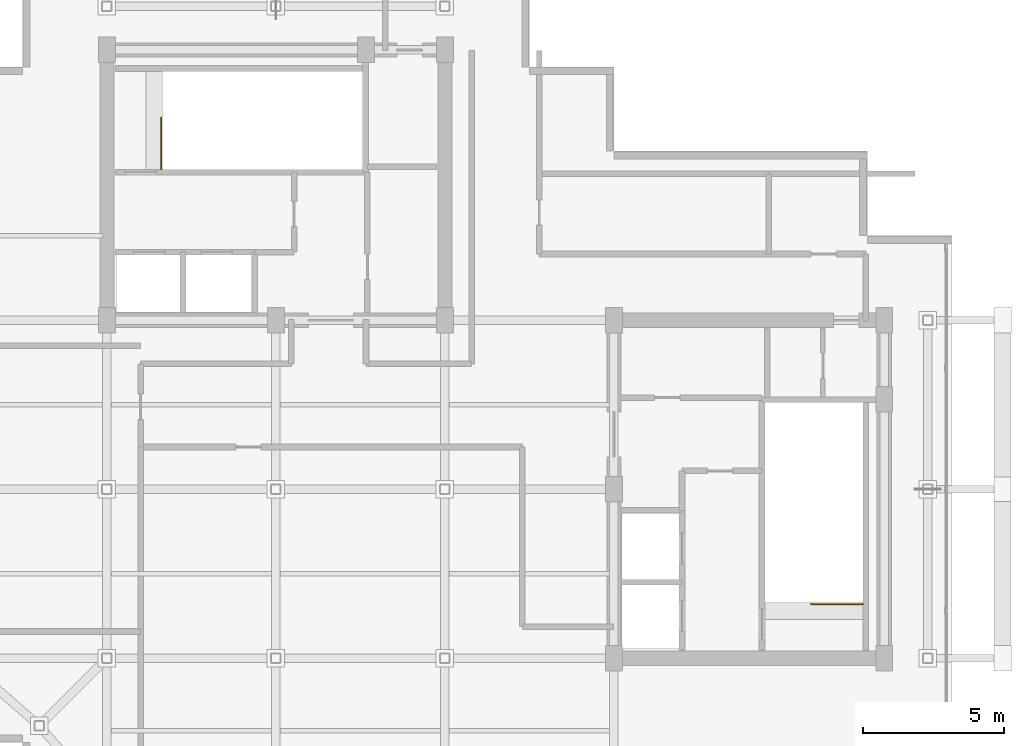
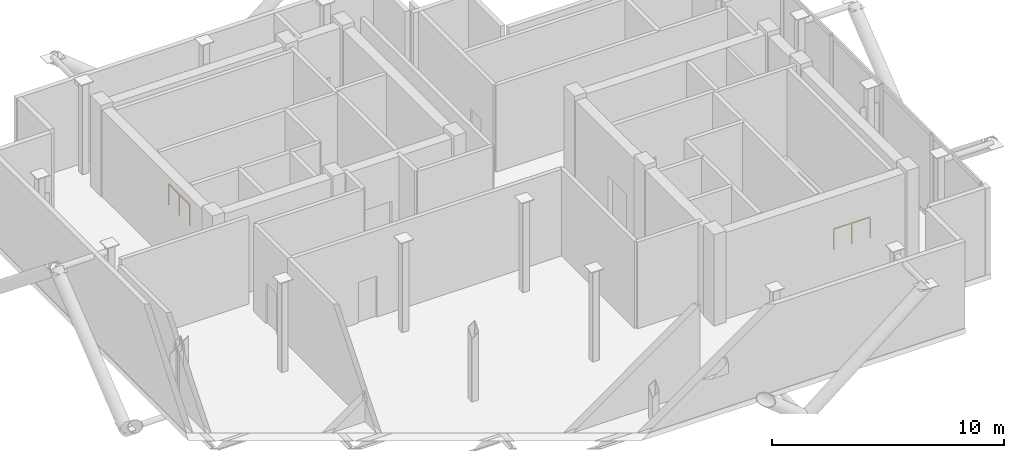
# One storey, part 6 of 6: 2 railings.
"""IFC4 building model written with IfcOpenShell, lengths in metres."""

from ifc_helpers import new_model, si_unit, direction, frame, origin, origin_2d, place, context, subcontext, project, spatial, rectangle, extrude, material, type_object, element, save


model = new_model("IFC4")

# Units and contexts
model_context = context("Model", 3, precision=1e-05, world=origin(), true_north=direction((0.0, 1.0)))
body_context = subcontext(model_context, "Body", "Model", "MODEL_VIEW")
ifc_project = project(units=[si_unit("LENGTHUNIT", "METRE"), si_unit("AREAUNIT", "SQUARE_METRE"), si_unit("VOLUMEUNIT", "CUBIC_METRE"), si_unit("PLANEANGLEUNIT", "RADIAN"), si_unit("MASSUNIT", "GRAM", prefix="KILO"), si_unit("THERMODYNAMICTEMPERATUREUNIT", "KELVIN"), si_unit("POWERUNIT", "WATT")], contexts=[model_context])

# Site, building, storey
site_placement = place(None, origin())
site = spatial("IfcSite", under=ifc_project, at=site_placement, CompositionType="ELEMENT")
building_placement = place(site_placement, origin())
building = spatial("IfcBuilding", under=site, at=building_placement, Name="Svarakhadi Broadcast Tower", CompositionType="ELEMENT")
storey_placement = place(building_placement, frame((0.0, 0.0, 305.699951171875)))
storey = spatial("IfcBuildingStorey", under=building, at=storey_placement, Name="L77", CompositionType="ELEMENT", Elevation=305.699951171875)

# Railings
ifc_material = material(Name="Anodised Bronze Aluminium AA 6063-T6", Category="aluminium")
railing_type = type_object("IfcRailingType", Name="Guard_Stair_GR01", PredefinedType="GUARDRAIL", material=ifc_material)
railing_1_placement = place(storey_placement, frame((7.929931640625, 23.360107421875, 0.0)))
element("IfcRailing", 1, at=railing_1_placement, inside=storey, type_object=railing_type, Name="L77 ST-01 top well guard 1", PredefinedType="GUARDRAIL", context=body_context, shape_type="SweptSolid", body=[
    extrude(rectangle(XDim=0.048095703125, YDim=0.048095703125, at=origin_2d()), frame((0.0, 0.0, 1.09619140625), z_axis=(0.0, 1.0, 0.0), x_axis=(-1.0, 0.0, 0.0)), (0.0, 0.0, 1.0), 1.81982421875),
    extrude(rectangle(XDim=0.0419921875, YDim=0.0419921875, at=origin_2d()), origin(), (0.0, 0.0, 1.0), 1.072021484375),
    extrude(rectangle(XDim=0.0419921875, YDim=0.0419921875, at=origin_2d()), frame((0.0, 0.909912109375, 0.0)), (0.0, 0.0, 1.0), 1.072021484375),
    extrude(rectangle(XDim=0.0419921875, YDim=0.0419921875, at=origin_2d()), frame((0.0, 1.81982421875, 0.0)), (0.0, 0.0, 1.0), 1.072021484375),
])
railing_2_placement = place(storey_placement, frame((32.840087890625, 7.929931640625, 0.0)))
element("IfcRailing", 2, at=railing_2_placement, inside=storey, type_object=railing_type, Name="L77 ST-02 top well guard 1", PredefinedType="GUARDRAIL", context=body_context, shape_type="SweptSolid", body=[
    extrude(rectangle(XDim=0.048095703125, YDim=0.048095703125, at=origin_2d()), frame((0.0, 0.0, 1.09619140625), z_axis=(-1.0, 0.0, 0.0), x_axis=(0.0, -1.0, 0.0)), (0.0, 0.0, 1.0), 1.820068359375),
    extrude(rectangle(XDim=0.0419921875, YDim=0.0419921875, at=origin_2d()), origin(), (0.0, 0.0, 1.0), 1.072021484375),
    extrude(rectangle(XDim=0.0419921875, YDim=0.0419921875, at=origin_2d()), frame((-0.91015625, 0.0, 0.0)), (0.0, 0.0, 1.0), 1.072021484375),
    extrude(rectangle(XDim=0.0419921875, YDim=0.0419921875, at=origin_2d()), frame((-1.820068359375, 0.0, 0.0)), (0.0, 0.0, 1.0), 1.072021484375),
])

save(model, "model.ifc")
